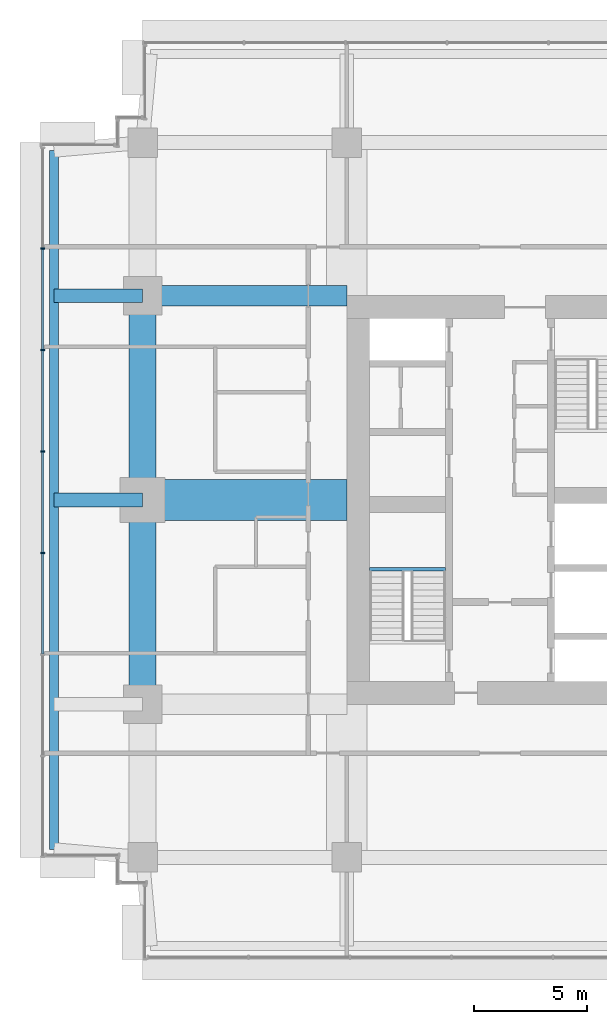
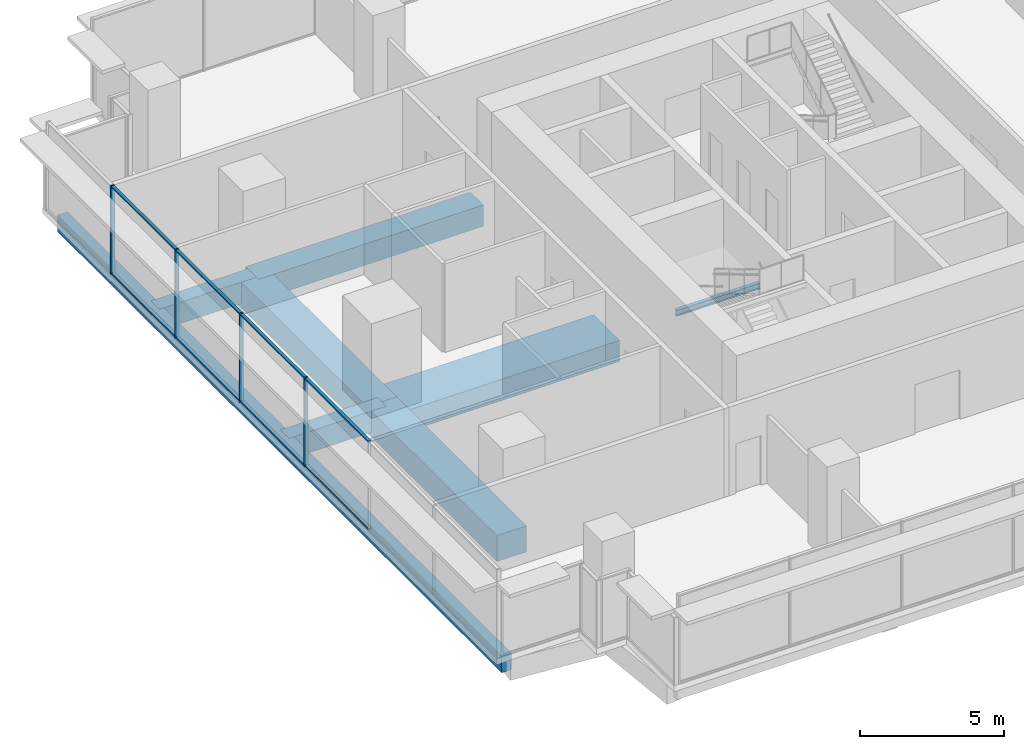
# One storey, part 4 of 13: 12 members, 8 beams, 1 element without a shape of its own.
"""IFC4 building model written with IfcOpenShell, lengths in metres."""

from ifc_helpers import new_model, si_unit, direction, frame, origin, origin_2d, place, context, subcontext, project, spatial, rectangle, i_section, extrude, material, layer, layer_set, material_profile, profile_set, type_object, element, aggregate, save


model = new_model("IFC4")

# Units and contexts
model_context = context("Model", 3, precision=1e-05, world=origin(), true_north=direction((0.0, 1.0)))
body_context = subcontext(model_context, "Body", "Model", "MODEL_VIEW")
ifc_project = project(units=[si_unit("LENGTHUNIT", "METRE"), si_unit("AREAUNIT", "SQUARE_METRE"), si_unit("VOLUMEUNIT", "CUBIC_METRE"), si_unit("PLANEANGLEUNIT", "RADIAN"), si_unit("MASSUNIT", "GRAM", prefix="KILO")], contexts=[model_context])

# Site, building, storey
site_placement = place(None, origin())
site = spatial("IfcSite", under=ifc_project, at=site_placement, CompositionType="ELEMENT")
building_placement = place(site_placement, origin())
building = spatial("IfcBuilding", under=site, at=building_placement, Name="Namib Vertical Campus", CompositionType="ELEMENT")
storey_placement = place(building_placement, frame((0.0, 0.0, 293.0)))
storey = spatial("IfcBuildingStorey", under=building, at=storey_placement, Name="L69", CompositionType="ELEMENT", Elevation=293.0)

# Beams
ifc_material_1 = material(Name="Concrete C40/50", Category="concrete")
ifc_material_profile_1 = material_profile(ifc_material_1, rectangle(XDim=0.60009765625, YDim=0.89990234375, at=origin_2d()))
ifc_profile_set_1 = profile_set([ifc_material_profile_1], Name="Concrete C40/50")
beam_type_1 = type_object("IfcBeamType", Name="Cantilever girder RC 600x900", PredefinedType="BEAM", material=ifc_profile_set_1)
for number, where, z_axis, x_axis, name in (
    (1, (4.5, 20.25, -0.699951171875), (-1.0, 0.0, 0.0), (0.0, -1.0, 0.0), "Beam B3 L69"),
    (2, (4.5, 29.25, -0.699951171875), (-1.0, 0.0, 0.0), (0.0, -1.0, 0.0), "Beam B3 L69"),
):
    element("IfcBeam", number, at=place(storey_placement, frame(where, z_axis=z_axis, x_axis=x_axis)), inside=storey, type_object=beam_type_1, Name=name, PredefinedType="BEAM", context=body_context, shape_type="SweptSolid", body=[
        extrude(rectangle(XDim=0.60009765625, YDim=0.89990234375, at=origin_2d()), origin(), (0.0, 0.0, 1.0), 3.89990234375),
    ])

# Curtain wall, members
ifc_material_2 = material(Name="Black aluminium curtain wall", Category="aluminium")
ifc_layer = layer(ifc_material_2, 0.199951171875)
ifc_layer_set = layer_set([ifc_layer], Name="Sky lounge curtain wall CW-SL")
curtain_wall_type = type_object("IfcCurtainWallType", Name="Sky lounge curtain wall CW-SL", PredefinedType="USERDEFINED", material=ifc_layer_set)
curtain_wall_placement = place(storey_placement, origin())
curtain_wall = element("IfcCurtainWall", 3, at=curtain_wall_placement, inside=storey, type_object=curtain_wall_type, Name="Curtain wall CW-SL L69 F16-1", ObjectType="CURTAIN WALL", PredefinedType="USERDEFINED")
ifc_material_3 = material(Name="Black anodised aluminium", Category="aluminium")
ifc_material_profile_2 = material_profile(ifc_material_3, rectangle(XDim=0.06005859375, YDim=0.159912109375, at=origin_2d()))
ifc_profile_set_2 = profile_set([ifc_material_profile_2], Name="Black anodised aluminium")
member_type_1 = type_object("IfcMemberType", Name="Curtain wall mullion 60x160", PredefinedType="MULLION", material=ifc_profile_set_2)
member_1_placement = place(storey_placement, frame((0.10009765625, 31.32861328125, 0.0), z_axis=(0.0, 0.0, 1.0), x_axis=(0.0, -1.0, 0.0)))
member_1 = element("IfcMember", 4, at=member_1_placement, type_object=member_type_1, Name="CW-SL mullion 2", PredefinedType="MULLION", context=body_context, shape_type="SweptSolid", body=[
    extrude(rectangle(XDim=0.06005859375, YDim=0.159912109375, at=origin_2d()), origin(), (0.0, 0.0, 1.0), 3.75),
])
member_2_placement = place(storey_placement, frame((0.10009765625, 26.857177734375, 0.0), z_axis=(0.0, 0.0, 1.0), x_axis=(0.0, -1.0, 0.0)))
member_2 = element("IfcMember", 5, at=member_2_placement, type_object=member_type_1, Name="CW-SL mullion 3", PredefinedType="MULLION", context=body_context, shape_type="SweptSolid", body=[
    extrude(rectangle(XDim=0.06005859375, YDim=0.159912109375, at=origin_2d()), origin(), (0.0, 0.0, 1.0), 3.75),
])
member_3_placement = place(storey_placement, frame((0.10009765625, 22.3857421875, 0.0), z_axis=(0.0, 0.0, 1.0), x_axis=(0.0, -1.0, 0.0)))
member_3 = element("IfcMember", 6, at=member_3_placement, type_object=member_type_1, Name="CW-SL mullion 4", PredefinedType="MULLION", context=body_context, shape_type="SweptSolid", body=[
    extrude(rectangle(XDim=0.06005859375, YDim=0.159912109375, at=origin_2d()), origin(), (0.0, 0.0, 1.0), 3.75),
])
member_4_placement = place(storey_placement, frame((0.10009765625, 17.914306640625, 0.0), z_axis=(0.0, 0.0, 1.0), x_axis=(0.0, -1.0, 0.0)))
member_4 = element("IfcMember", 7, at=member_4_placement, type_object=member_type_1, Name="CW-SL mullion 5", PredefinedType="MULLION", context=body_context, shape_type="SweptSolid", body=[
    extrude(rectangle(XDim=0.06005859375, YDim=0.159912109375, at=origin_2d()), origin(), (0.0, 0.0, 1.0), 3.75),
])
ifc_material_4 = material(Name="Black anodised aluminium", Category="aluminium")
ifc_material_profile_3 = material_profile(ifc_material_4, rectangle(XDim=0.06005859375, YDim=0.1201171875, at=origin_2d()))
ifc_profile_set_3 = profile_set([ifc_material_profile_3], Name="Black anodised aluminium")
member_type_2 = type_object("IfcMemberType", Name="Curtain wall transom 60x120", PredefinedType="USERDEFINED", material=ifc_profile_set_3)
member_5_placement = place(storey_placement, frame((0.10009765625, 31.298583984375, 0.030029296875), z_axis=(0.0, -1.0, 0.0), x_axis=(0.0, 0.0, 1.0)))
member_5 = element("IfcMember", 8, at=member_5_placement, type_object=member_type_2, Name="CW-SL transom 2.1", ObjectType="TRANSOM", PredefinedType="USERDEFINED", context=body_context, shape_type="SweptSolid", body=[
    extrude(rectangle(XDim=0.06005859375, YDim=0.1201171875, at=origin_2d()), origin(), (0.0, 0.0, 1.0), 4.411376953125),
])
member_6_placement = place(storey_placement, frame((0.10009765625, 31.298583984375, 3.719970703125), z_axis=(0.0, -1.0, 0.0), x_axis=(0.0, 0.0, 1.0)))
member_6 = element("IfcMember", 9, at=member_6_placement, type_object=member_type_2, Name="CW-SL transom 2.2", ObjectType="TRANSOM", PredefinedType="USERDEFINED", context=body_context, shape_type="SweptSolid", body=[
    extrude(rectangle(XDim=0.06005859375, YDim=0.1201171875, at=origin_2d()), origin(), (0.0, 0.0, 1.0), 4.411376953125),
])
member_7_placement = place(storey_placement, frame((0.10009765625, 26.8271484375, 0.030029296875), z_axis=(0.0, -1.0, 0.0), x_axis=(0.0, 0.0, 1.0)))
member_7 = element("IfcMember", 10, at=member_7_placement, type_object=member_type_2, Name="CW-SL transom 3.1", ObjectType="TRANSOM", PredefinedType="USERDEFINED", context=body_context, shape_type="SweptSolid", body=[
    extrude(rectangle(XDim=0.06005859375, YDim=0.1201171875, at=origin_2d()), origin(), (0.0, 0.0, 1.0), 4.411376953125),
])
member_8_placement = place(storey_placement, frame((0.10009765625, 26.8271484375, 3.719970703125), z_axis=(0.0, -1.0, 0.0), x_axis=(0.0, 0.0, 1.0)))
member_8 = element("IfcMember", 11, at=member_8_placement, type_object=member_type_2, Name="CW-SL transom 3.2", ObjectType="TRANSOM", PredefinedType="USERDEFINED", context=body_context, shape_type="SweptSolid", body=[
    extrude(rectangle(XDim=0.06005859375, YDim=0.1201171875, at=origin_2d()), origin(), (0.0, 0.0, 1.0), 4.411376953125),
])
member_9_placement = place(storey_placement, frame((0.10009765625, 22.355712890625, 0.030029296875), z_axis=(0.0, -1.0, 0.0), x_axis=(0.0, 0.0, 1.0)))
member_9 = element("IfcMember", 12, at=member_9_placement, type_object=member_type_2, Name="CW-SL transom 4.1", ObjectType="TRANSOM", PredefinedType="USERDEFINED", context=body_context, shape_type="SweptSolid", body=[
    extrude(rectangle(XDim=0.06005859375, YDim=0.1201171875, at=origin_2d()), origin(), (0.0, 0.0, 1.0), 4.411376953125),
])
member_10_placement = place(storey_placement, frame((0.10009765625, 22.355712890625, 3.719970703125), z_axis=(0.0, -1.0, 0.0), x_axis=(0.0, 0.0, 1.0)))
member_10 = element("IfcMember", 13, at=member_10_placement, type_object=member_type_2, Name="CW-SL transom 4.2", ObjectType="TRANSOM", PredefinedType="USERDEFINED", context=body_context, shape_type="SweptSolid", body=[
    extrude(rectangle(XDim=0.06005859375, YDim=0.1201171875, at=origin_2d()), origin(), (0.0, 0.0, 1.0), 4.411376953125),
])
member_11_placement = place(storey_placement, frame((0.10009765625, 17.88427734375, 0.030029296875), z_axis=(0.0, -1.0, 0.0), x_axis=(0.0, 0.0, 1.0)))
member_11 = element("IfcMember", 14, at=member_11_placement, type_object=member_type_2, Name="CW-SL transom 5.1", ObjectType="TRANSOM", PredefinedType="USERDEFINED", context=body_context, shape_type="SweptSolid", body=[
    extrude(rectangle(XDim=0.06005859375, YDim=0.1201171875, at=origin_2d()), origin(), (0.0, 0.0, 1.0), 4.411376953125),
])
member_12_placement = place(storey_placement, frame((0.10009765625, 17.88427734375, 3.719970703125), z_axis=(0.0, -1.0, 0.0), x_axis=(0.0, 0.0, 1.0)))
member_12 = element("IfcMember", 15, at=member_12_placement, type_object=member_type_2, Name="CW-SL transom 5.2", ObjectType="TRANSOM", PredefinedType="USERDEFINED", context=body_context, shape_type="SweptSolid", body=[
    extrude(rectangle(XDim=0.06005859375, YDim=0.1201171875, at=origin_2d()), origin(), (0.0, 0.0, 1.0), 4.411376953125),
])
aggregate(curtain_wall, [member_1, member_2, member_3, member_4, member_5, member_6, member_7, member_8, member_9, member_10, member_11, member_12])

# Beams
ifc_material_5 = material(Name="Concrete C40/50", Category="concrete")
ifc_material_profile_4 = material_profile(ifc_material_5, rectangle(XDim=0.39990234375, YDim=0.699951171875, at=origin_2d()))
ifc_profile_set_4 = profile_set([ifc_material_profile_4], Name="Concrete C40/50")
beam_type_2 = type_object("IfcBeamType", Name="Edge beam RC 400x700", PredefinedType="SPANDREL", material=ifc_profile_set_4)
beam_1_placement = place(storey_placement, frame((0.60009765625, 4.85009765625, -0.60009765625), z_axis=(0.0, 1.0, 0.0), x_axis=(-1.0, 0.0, 0.0)))
element("IfcBeam", 16, at=beam_1_placement, inside=storey, type_object=beam_type_2, Name="Beam B4 L69", PredefinedType="SPANDREL", context=body_context, shape_type="SweptSolid", body=[
    extrude(rectangle(XDim=0.39990234375, YDim=0.699951171875, at=origin_2d()), origin(), (0.0, 0.0, 1.0), 30.7998046875),
])
ifc_material_6 = material(Name="Concrete C40/50", Category="concrete")
ifc_material_profile_5 = material_profile(ifc_material_6, rectangle(XDim=0.89990234375, YDim=0.89990234375, at=origin_2d()))
ifc_profile_set_5 = profile_set([ifc_material_profile_5], Name="Concrete C40/50")
beam_type_3 = type_object("IfcBeamType", Name="Face girder RC 900x900", PredefinedType="BEAM", material=ifc_profile_set_5)
beam_2_placement = place(storey_placement, frame((4.5, 29.25, -0.699951171875), z_axis=(1.0, 0.0, 0.0), x_axis=(0.0, 1.0, 0.0)))
element("IfcBeam", 17, at=beam_2_placement, inside=storey, type_object=beam_type_3, Name="Beam B10 L69", PredefinedType="BEAM", context=body_context, shape_type="SweptSolid", body=[
    extrude(rectangle(XDim=0.89990234375, YDim=0.89990234375, at=origin_2d()), origin(), (0.0, 0.0, 1.0), 9.0),
])
ifc_material_7 = material(Name="Concrete C40/50", Category="concrete")
ifc_material_profile_6 = material_profile(ifc_material_7, rectangle(XDim=1.199951171875, YDim=1.10009765625, at=origin_2d()))
ifc_profile_set_6 = profile_set([ifc_material_profile_6], Name="Concrete C40/50")
beam_type_4 = type_object("IfcBeamType", Name="Face ring beam RC 1200x1100", PredefinedType="BEAM", material=ifc_profile_set_6)
for number, where, z_axis, x_axis, name in (
    (18, (4.5, 11.25, -0.800048828125), (0.0, 1.0, 0.0), (-1.0, 0.0, 0.0), "Beam B11 L69"),
    (19, (4.5, 20.25, -0.800048828125), (0.0, 1.0, 0.0), (-1.0, 0.0, 0.0), "Beam B11 L69"),
):
    element("IfcBeam", number, at=place(storey_placement, frame(where, z_axis=z_axis, x_axis=x_axis)), inside=storey, type_object=beam_type_4, Name=name, PredefinedType="BEAM", context=body_context, shape_type="SweptSolid", body=[
        extrude(rectangle(XDim=1.199951171875, YDim=1.10009765625, at=origin_2d()), origin(), (0.0, 0.0, 1.0), 9.0),
    ])
ifc_material_8 = material(Name="Steel S355JR", Category="steel")
ifc_material_profile_7 = material_profile(ifc_material_8, i_section(OverallWidth=0.14599609375, OverallDepth=0.25146484375, WebThickness=0.006103515625, FlangeThickness=0.008544921875, FilletRadius=0.007568359375, at=origin_2d()))
ifc_profile_set_7 = profile_set([ifc_material_profile_7], Name="Steel S355JR")
beam_type_5 = type_object("IfcBeamType", Name="Landing trimmer UB 254x146x31", PredefinedType="BEAM", material=ifc_profile_set_7)
beam_3_placement = place(storey_placement, frame((14.5, 17.203125, 1.874267578125), z_axis=(1.0, 0.0, 0.0), x_axis=(0.0, 1.0, 0.0)))
element("IfcBeam", 20, at=beam_3_placement, inside=storey, type_object=beam_type_5, Name="Landing trimmer LT1 A-S1 L69 2", PredefinedType="BEAM", context=body_context, shape_type="SweptSolid", body=[
    extrude(i_section(OverallWidth=0.14599609375, OverallDepth=0.25146484375, WebThickness=0.006103515625, FlangeThickness=0.008544921875, FilletRadius=0.007568359375, at=origin_2d()), origin(), (0.0, 0.0, 1.0), 3.35009765625),
])
ifc_material_9 = material(Name="Concrete C40/50", Category="concrete")
ifc_material_profile_8 = material_profile(ifc_material_9, rectangle(XDim=1.800048828125, YDim=0.89990234375, at=origin_2d()))
ifc_profile_set_8 = profile_set([ifc_material_profile_8], Name="Concrete C40/50")
beam_type_6 = type_object("IfcBeamType", Name="Outrigger line girder RC 1800x900", PredefinedType="BEAM", material=ifc_profile_set_8)
beam_4_placement = place(storey_placement, frame((4.5, 20.25, -0.699951171875), z_axis=(1.0, 0.0, 0.0), x_axis=(0.0, 1.0, 0.0)))
element("IfcBeam", 21, at=beam_4_placement, inside=storey, type_object=beam_type_6, Name="Beam B12 L69", PredefinedType="BEAM", context=body_context, shape_type="SweptSolid", body=[
    extrude(rectangle(XDim=1.800048828125, YDim=0.89990234375, at=origin_2d()), origin(), (0.0, 0.0, 1.0), 9.0),
])

save(model, "model.ifc")
